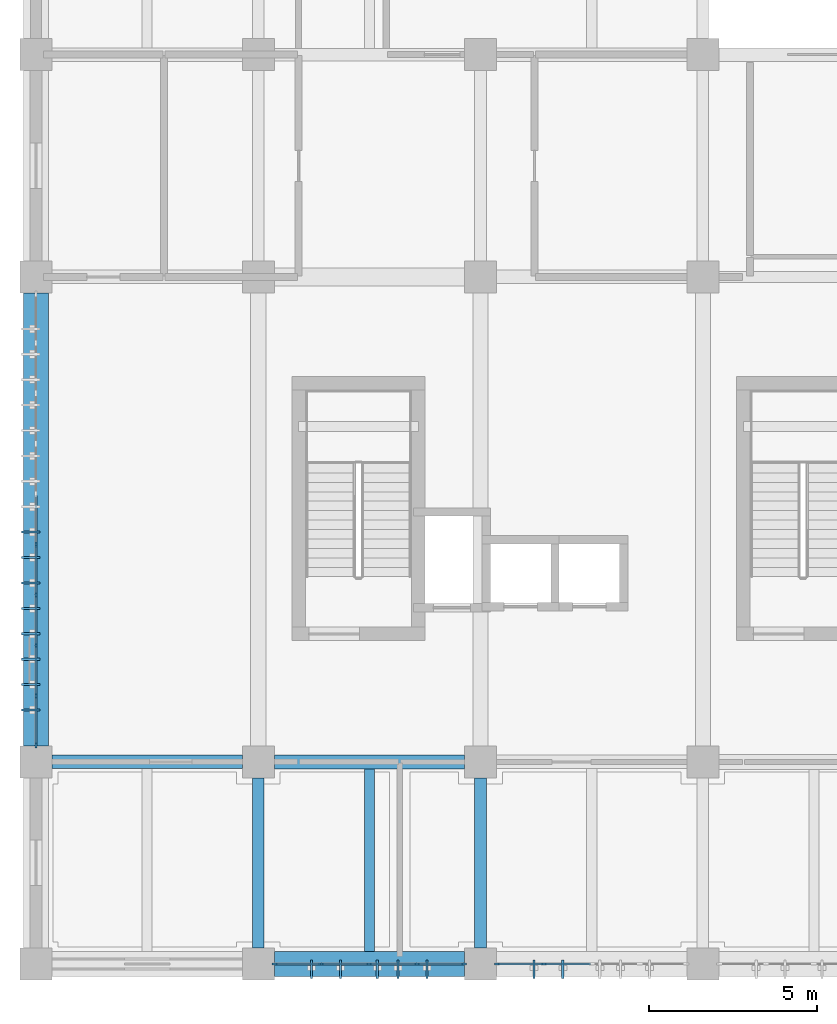
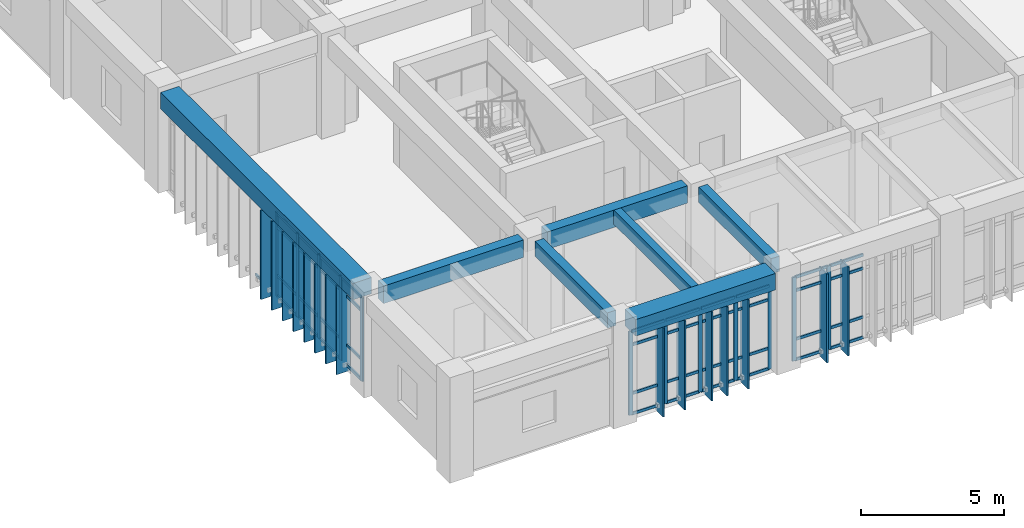
# One storey, part 2 of 57: 68 members, 7 beams, 3 elements without a shape of their own.
"""IFC4 building model written with IfcOpenShell, lengths in metres."""

from ifc_helpers import new_model, si_unit, direction, frame, origin, origin_2d, place, context, subcontext, project, spatial, rectangle, extrude, material, layer, layer_set, material_profile, profile_set, type_object, element, aggregate, save


model = new_model("IFC4")

# Units and contexts
model_context = context("Model", 3, precision=1e-05, world=origin(), true_north=direction((0.0, 1.0)))
body_context = subcontext(model_context, "Body", "Model", "MODEL_VIEW")
ifc_project = project(units=[si_unit("LENGTHUNIT", "METRE"), si_unit("AREAUNIT", "SQUARE_METRE"), si_unit("VOLUMEUNIT", "CUBIC_METRE"), si_unit("PLANEANGLEUNIT", "RADIAN"), si_unit("MASSUNIT", "GRAM", prefix="KILO")], contexts=[model_context])

# Site, building, storey
site_placement = place(None, origin())
site = spatial("IfcSite", under=ifc_project, at=site_placement, CompositionType="ELEMENT")
building_placement = place(site_placement, origin())
building = spatial("IfcBuilding", under=site, at=building_placement, Name="Miralva Faculty of Natural Sciences", CompositionType="ELEMENT")
storey_placement = place(building_placement, frame((0.0, 0.0, 15.0)))
storey = spatial("IfcBuildingStorey", under=building, at=storey_placement, Name="L03", CompositionType="ELEMENT", Elevation=15.0)

# Beams
ifc_material_1 = material(Name="Concrete C40/50", Category="concrete")
ifc_material_profile_1 = material_profile(ifc_material_1, rectangle(XDim=0.39990234375, YDim=0.75, at=origin_2d()), Name="RC 400x750")
ifc_profile_set_1 = profile_set([ifc_material_profile_1], Name="Concrete C40/50")
beam_type_1 = type_object("IfcBeamType", Name="BM-B03", PredefinedType="BEAM", material=ifc_profile_set_1)
beam_1_placement = place(storey_placement, frame((3.47509765625, 9.0, 3.905029296875), z_axis=(1.0, 0.0, 0.0), x_axis=(0.0, 1.0, 0.0)))
element("IfcBeam", 1, at=beam_1_placement, inside=storey, type_object=beam_type_1, Name="Girder EW L03-6", PredefinedType="BEAM", context=body_context, shape_type="SweptSolid", body=[
    extrude(rectangle(XDim=0.39990234375, YDim=0.75, at=origin_2d()), origin(), (0.0, 0.0, 1.0), 5.64990234375),
])
ifc_material_profile_2 = material_profile(ifc_material_1, rectangle(XDim=0.35009765625, YDim=0.64990234375, at=origin_2d()), Name="RC 350x650")
ifc_profile_set_2 = profile_set([ifc_material_profile_2], Name="Concrete C40/50")
beam_type_2 = type_object("IfcBeamType", Name="BM-B05", PredefinedType="BEAM", material=ifc_profile_set_2)
for number, where, z_axis, x_axis, name in (
    (2, (9.60009765625, 3.47509765625, 3.955078125), (0.0, 1.0, 0.0), (-1.0, 0.0, 0.0), "Girder NS L03-75"),
    (3, (16.199951171875, 3.47509765625, 3.955078125), (0.0, 1.0, 0.0), (-1.0, 0.0, 0.0), "Girder NS L03-88"),
):
    element("IfcBeam", number, at=place(storey_placement, frame(where, z_axis=z_axis, x_axis=x_axis)), inside=storey, type_object=beam_type_2, Name=name, PredefinedType="BEAM", context=body_context, shape_type="SweptSolid", body=[
        extrude(rectangle(XDim=0.35009765625, YDim=0.64990234375, at=origin_2d()), origin(), (0.0, 0.0, 1.0), 5.0498046875),
    ])
ifc_material_profile_3 = material_profile(ifc_material_1, rectangle(XDim=0.419921875, YDim=0.739990234375, at=origin_2d()), Name="RC 420x740")
ifc_profile_set_3 = profile_set([ifc_material_profile_3], Name="Concrete C40/50")
beam_type_3 = type_object("IfcBeamType", Name="BM-BG11", PredefinedType="BEAM", material=ifc_profile_set_3)
beam_2_placement = place(storey_placement, frame((10.074951171875, 9.0, 3.909912109375), z_axis=(1.0, 0.0, 0.0), x_axis=(0.0, 1.0, 0.0)))
element("IfcBeam", 4, at=beam_2_placement, inside=storey, type_object=beam_type_3, Name="Girder EW L03-7", PredefinedType="BEAM", context=body_context, shape_type="SweptSolid", body=[
    extrude(rectangle(XDim=0.419921875, YDim=0.739990234375, at=origin_2d()), origin(), (0.0, 0.0, 1.0), 5.650146484375),
])
ifc_material_profile_4 = material_profile(ifc_material_1, rectangle(XDim=0.300048828125, YDim=0.60009765625, at=origin_2d()), Name="RC 300x600")
ifc_profile_set_4 = profile_set([ifc_material_profile_4], Name="Concrete C40/50")
beam_type_4 = type_object("IfcBeamType", Name="BM-J01", PredefinedType="JOIST", material=ifc_profile_set_4)
beam_3_placement = place(storey_placement, frame((12.89990234375, 3.375, 3.97998046875), z_axis=(0.0, 1.0, 0.0), x_axis=(-1.0, 0.0, 0.0)))
element("IfcBeam", 5, at=beam_3_placement, inside=storey, type_object=beam_type_4, Name="Floor joist L03-2", PredefinedType="JOIST", context=body_context, shape_type="SweptSolid", body=[
    extrude(rectangle(XDim=0.300048828125, YDim=0.60009765625, at=origin_2d()), origin(), (0.0, 0.0, 1.0), 5.4150390625),
])
ifc_material_profile_5 = material_profile(ifc_material_1, rectangle(XDim=0.75, YDim=0.699951171875, at=origin_2d()), Name="RC 750x700")
ifc_profile_set_5 = profile_set([ifc_material_profile_5], Name="Concrete C40/50")
beam_type_5 = type_object("IfcBeamType", Name="BM-SP01", PredefinedType="SPANDREL", material=ifc_profile_set_5)
beam_4_placement = place(storey_placement, frame((10.074951171875, 3.0, 3.929931640625), z_axis=(1.0, 0.0, 0.0), x_axis=(0.0, 1.0, 0.0)))
element("IfcBeam", 6, at=beam_4_placement, inside=storey, type_object=beam_type_5, Name="Girder EW L03-2", PredefinedType="SPANDREL", context=body_context, shape_type="SweptSolid", body=[
    extrude(rectangle(XDim=0.75, YDim=0.699951171875, at=origin_2d()), origin(), (0.0, 0.0, 1.0), 5.650146484375),
])
beam_5_placement = place(storey_placement, frame((3.0, 9.47509765625, 3.929931640625), z_axis=(0.0, 1.0, 0.0), x_axis=(-1.0, 0.0, 0.0)))
element("IfcBeam", 7, at=beam_5_placement, inside=storey, type_object=beam_type_5, Name="Girder NS L03-63", PredefinedType="SPANDREL", context=body_context, shape_type="SweptSolid", body=[
    extrude(rectangle(XDim=0.75, YDim=0.699951171875, at=origin_2d()), origin(), (0.0, 0.0, 1.0), 13.449951171875),
])

# Curtain wall, members
ifc_material_2 = material(Name="Laminated solar-control glass", Category="glass")
ifc_layer = layer(ifc_material_2, 0.179931640625, Name="CW-TWR-L03")
ifc_layer_set = layer_set([ifc_layer], Name="Laminated solar-control glass")
curtain_wall_type = type_object("IfcCurtainWallType", Name="CW-TWR-L03", PredefinedType="USERDEFINED", material=ifc_layer_set)
curtain_wall_1_placement = place(storey_placement, origin())
curtain_wall_1 = element("IfcCurtainWall", 8, at=curtain_wall_1_placement, inside=storey, type_object=curtain_wall_type, Name="Curtain wall CW-14 L03-224", ObjectType="UNITISED CURTAIN WALL", PredefinedType="USERDEFINED")
ifc_material_3 = material(Name="Anodised aluminium", Category="aluminium")
ifc_material_profile_6 = material_profile(ifc_material_3, rectangle(XDim=0.06494140625, YDim=0.159912109375, at=origin_2d()), Name="MULLION 65x160")
ifc_profile_set_6 = profile_set([ifc_material_profile_6], Name="Anodised aluminium")
member_type_1 = type_object("IfcMemberType", Name="CW-M02", PredefinedType="MULLION", material=ifc_profile_set_6)
member_1_placement = place(storey_placement, frame((10.08740234375, 3.0, 0.0), z_axis=(0.0, 0.0, 1.0), x_axis=(0.0, 1.0, 0.0)))
member_1 = element("IfcMember", 9, at=member_1_placement, type_object=member_type_1, Name="CW-14 mullion 1", PredefinedType="MULLION", context=body_context, shape_type="SweptSolid", body=[
    extrude(rectangle(XDim=0.06494140625, YDim=0.159912109375, at=origin_2d()), origin(), (0.0, 0.0, 1.0), 3.574951171875),
])
member_2_placement = place(storey_placement, frame((11.47509765625, 3.0, 0.0), z_axis=(0.0, 0.0, 1.0), x_axis=(0.0, 1.0, 0.0)))
member_2 = element("IfcMember", 10, at=member_2_placement, type_object=member_type_1, Name="CW-14 mullion 2", PredefinedType="MULLION", context=body_context, shape_type="SweptSolid", body=[
    extrude(rectangle(XDim=0.06494140625, YDim=0.159912109375, at=origin_2d()), origin(), (0.0, 0.0, 1.0), 3.574951171875),
])
member_3_placement = place(storey_placement, frame((12.89501953125, 3.0, 0.0), z_axis=(0.0, 0.0, 1.0), x_axis=(0.0, 1.0, 0.0)))
member_3 = element("IfcMember", 11, at=member_3_placement, type_object=member_type_1, Name="CW-14 mullion 3", PredefinedType="MULLION", context=body_context, shape_type="SweptSolid", body=[
    extrude(rectangle(XDim=0.06494140625, YDim=0.159912109375, at=origin_2d()), origin(), (0.0, 0.0, 1.0), 3.574951171875),
])
member_4_placement = place(storey_placement, frame((14.31494140625, 3.0, 0.0), z_axis=(0.0, 0.0, 1.0), x_axis=(0.0, 1.0, 0.0)))
member_4 = element("IfcMember", 12, at=member_4_placement, type_object=member_type_1, Name="CW-14 mullion 4", PredefinedType="MULLION", context=body_context, shape_type="SweptSolid", body=[
    extrude(rectangle(XDim=0.06494140625, YDim=0.159912109375, at=origin_2d()), origin(), (0.0, 0.0, 1.0), 3.574951171875),
])
member_5_placement = place(storey_placement, frame((15.702392578125, 3.0, 0.0), z_axis=(0.0, 0.0, 1.0), x_axis=(0.0, 1.0, 0.0)))
member_5 = element("IfcMember", 13, at=member_5_placement, type_object=member_type_1, Name="CW-14 mullion 5", PredefinedType="MULLION", context=body_context, shape_type="SweptSolid", body=[
    extrude(rectangle(XDim=0.06494140625, YDim=0.159912109375, at=origin_2d()), origin(), (0.0, 0.0, 1.0), 3.574951171875),
])

curtain_wall_2_placement = place(storey_placement, origin())
curtain_wall_2 = element("IfcCurtainWall", 14, at=curtain_wall_2_placement, inside=storey, type_object=curtain_wall_type, Name="Curtain wall CW-14 L03-225", ObjectType="UNITISED CURTAIN WALL", PredefinedType="USERDEFINED")
member_6_placement = place(storey_placement, frame((16.6875, 3.0, 0.0), z_axis=(0.0, 0.0, 1.0), x_axis=(0.0, 1.0, 0.0)))
member_6 = element("IfcMember", 15, at=member_6_placement, type_object=member_type_1, Name="CW-14 mullion 1", PredefinedType="MULLION", context=body_context, shape_type="SweptSolid", body=[
    extrude(rectangle(XDim=0.06494140625, YDim=0.159912109375, at=origin_2d()), origin(), (0.0, 0.0, 1.0), 3.574951171875),
])
member_7_placement = place(storey_placement, frame((18.077392578125, 3.0, 0.0), z_axis=(0.0, 0.0, 1.0), x_axis=(0.0, 1.0, 0.0)))
member_7 = element("IfcMember", 16, at=member_7_placement, type_object=member_type_1, Name="CW-14 mullion 2", PredefinedType="MULLION", context=body_context, shape_type="SweptSolid", body=[
    extrude(rectangle(XDim=0.06494140625, YDim=0.159912109375, at=origin_2d()), origin(), (0.0, 0.0, 1.0), 3.574951171875),
])

curtain_wall_3_placement = place(storey_placement, origin())
curtain_wall_3 = element("IfcCurtainWall", 17, at=curtain_wall_3_placement, inside=storey, type_object=curtain_wall_type, Name="Curtain wall CW-14 L03-228", ObjectType="UNITISED CURTAIN WALL", PredefinedType="USERDEFINED")
member_8_placement = place(storey_placement, frame((3.0, 9.49755859375, 0.0), z_axis=(0.0, 0.0, 1.0), x_axis=(-1.0, 0.0, 0.0)))
member_8 = element("IfcMember", 18, at=member_8_placement, type_object=member_type_1, Name="CW-14 mullion 1", PredefinedType="MULLION", context=body_context, shape_type="SweptSolid", body=[
    extrude(rectangle(XDim=0.06494140625, YDim=0.159912109375, at=origin_2d()), origin(), (0.0, 0.0, 1.0), 3.574951171875),
])
member_9_placement = place(storey_placement, frame((3.0, 10.961669921875, 0.0), z_axis=(0.0, 0.0, 1.0), x_axis=(-1.0, 0.0, 0.0)))
member_9 = element("IfcMember", 19, at=member_9_placement, type_object=member_type_1, Name="CW-14 mullion 2", PredefinedType="MULLION", context=body_context, shape_type="SweptSolid", body=[
    extrude(rectangle(XDim=0.06494140625, YDim=0.159912109375, at=origin_2d()), origin(), (0.0, 0.0, 1.0), 3.574951171875),
])
member_10_placement = place(storey_placement, frame((3.0, 12.458251953125, 0.0), z_axis=(0.0, 0.0, 1.0), x_axis=(-1.0, 0.0, 0.0)))
member_10 = element("IfcMember", 20, at=member_10_placement, type_object=member_type_1, Name="CW-14 mullion 3", PredefinedType="MULLION", context=body_context, shape_type="SweptSolid", body=[
    extrude(rectangle(XDim=0.06494140625, YDim=0.159912109375, at=origin_2d()), origin(), (0.0, 0.0, 1.0), 3.574951171875),
])
member_11_placement = place(storey_placement, frame((3.0, 13.955078125, 0.0), z_axis=(0.0, 0.0, 1.0), x_axis=(-1.0, 0.0, 0.0)))
member_11 = element("IfcMember", 21, at=member_11_placement, type_object=member_type_1, Name="CW-14 mullion 4", PredefinedType="MULLION", context=body_context, shape_type="SweptSolid", body=[
    extrude(rectangle(XDim=0.06494140625, YDim=0.159912109375, at=origin_2d()), origin(), (0.0, 0.0, 1.0), 3.574951171875),
])
member_12_placement = place(storey_placement, frame((3.0, 15.45166015625, 0.0), z_axis=(0.0, 0.0, 1.0), x_axis=(-1.0, 0.0, 0.0)))
member_12 = element("IfcMember", 22, at=member_12_placement, type_object=member_type_1, Name="CW-14 mullion 5", PredefinedType="MULLION", context=body_context, shape_type="SweptSolid", body=[
    extrude(rectangle(XDim=0.06494140625, YDim=0.159912109375, at=origin_2d()), origin(), (0.0, 0.0, 1.0), 3.574951171875),
])

# Member
ifc_material_profile_7 = material_profile(ifc_material_3, rectangle(XDim=0.06005859375, YDim=0.1201171875, at=origin_2d()), Name="TRANSOM 60x120")
ifc_profile_set_7 = profile_set([ifc_material_profile_7], Name="Anodised aluminium")
member_type_2 = type_object("IfcMemberType", Name="CW-T02", PredefinedType="USERDEFINED", material=ifc_profile_set_7)
member_13_placement = place(storey_placement, frame((10.1201171875, 3.0, 0.030029296875), z_axis=(1.0, 0.0, 0.0), x_axis=(0.0, 1.0, 0.0)))
member_13 = element("IfcMember", 23, at=member_13_placement, type_object=member_type_2, Name="CW-14 transom 1.1", ObjectType="TRANSOM", PredefinedType="USERDEFINED", context=body_context, shape_type="SweptSolid", body=[
    extrude(rectangle(XDim=0.06005859375, YDim=0.1201171875, at=origin_2d()), origin(), (0.0, 0.0, 1.0), 1.322265625),
])

member_14_placement = place(storey_placement, frame((10.1201171875, 3.0, 0.89990234375), z_axis=(1.0, 0.0, 0.0), x_axis=(0.0, 1.0, 0.0)))
member_14 = element("IfcMember", 24, at=member_14_placement, type_object=member_type_2, Name="CW-14 transom 1.2", ObjectType="TRANSOM", PredefinedType="USERDEFINED", context=body_context, shape_type="SweptSolid", body=[
    extrude(rectangle(XDim=0.06005859375, YDim=0.1201171875, at=origin_2d()), origin(), (0.0, 0.0, 1.0), 1.322265625),
])

member_15_placement = place(storey_placement, frame((10.1201171875, 3.0, 2.97509765625), z_axis=(1.0, 0.0, 0.0), x_axis=(0.0, 1.0, 0.0)))
member_15 = element("IfcMember", 25, at=member_15_placement, type_object=member_type_2, Name="CW-14 transom 1.3", ObjectType="TRANSOM", PredefinedType="USERDEFINED", context=body_context, shape_type="SweptSolid", body=[
    extrude(rectangle(XDim=0.06005859375, YDim=0.1201171875, at=origin_2d()), origin(), (0.0, 0.0, 1.0), 1.322265625),
])

member_16_placement = place(storey_placement, frame((10.1201171875, 3.0, 3.544921875), z_axis=(1.0, 0.0, 0.0), x_axis=(0.0, 1.0, 0.0)))
member_16 = element("IfcMember", 26, at=member_16_placement, type_object=member_type_2, Name="CW-14 transom 1.4", ObjectType="TRANSOM", PredefinedType="USERDEFINED", context=body_context, shape_type="SweptSolid", body=[
    extrude(rectangle(XDim=0.06005859375, YDim=0.1201171875, at=origin_2d()), origin(), (0.0, 0.0, 1.0), 1.322265625),
])

member_17_placement = place(storey_placement, frame((11.507568359375, 3.0, 0.030029296875), z_axis=(1.0, 0.0, 0.0), x_axis=(0.0, 1.0, 0.0)))
member_17 = element("IfcMember", 27, at=member_17_placement, type_object=member_type_2, Name="CW-14 transom 2.1", ObjectType="TRANSOM", PredefinedType="USERDEFINED", context=body_context, shape_type="SweptSolid", body=[
    extrude(rectangle(XDim=0.06005859375, YDim=0.1201171875, at=origin_2d()), origin(), (0.0, 0.0, 1.0), 1.35498046875),
])

member_18_placement = place(storey_placement, frame((11.507568359375, 3.0, 0.89990234375), z_axis=(1.0, 0.0, 0.0), x_axis=(0.0, 1.0, 0.0)))
member_18 = element("IfcMember", 28, at=member_18_placement, type_object=member_type_2, Name="CW-14 transom 2.2", ObjectType="TRANSOM", PredefinedType="USERDEFINED", context=body_context, shape_type="SweptSolid", body=[
    extrude(rectangle(XDim=0.06005859375, YDim=0.1201171875, at=origin_2d()), origin(), (0.0, 0.0, 1.0), 1.35498046875),
])

member_19_placement = place(storey_placement, frame((11.507568359375, 3.0, 2.97509765625), z_axis=(1.0, 0.0, 0.0), x_axis=(0.0, 1.0, 0.0)))
member_19 = element("IfcMember", 29, at=member_19_placement, type_object=member_type_2, Name="CW-14 transom 2.3", ObjectType="TRANSOM", PredefinedType="USERDEFINED", context=body_context, shape_type="SweptSolid", body=[
    extrude(rectangle(XDim=0.06005859375, YDim=0.1201171875, at=origin_2d()), origin(), (0.0, 0.0, 1.0), 1.35498046875),
])

member_20_placement = place(storey_placement, frame((11.507568359375, 3.0, 3.544921875), z_axis=(1.0, 0.0, 0.0), x_axis=(0.0, 1.0, 0.0)))
member_20 = element("IfcMember", 30, at=member_20_placement, type_object=member_type_2, Name="CW-14 transom 2.4", ObjectType="TRANSOM", PredefinedType="USERDEFINED", context=body_context, shape_type="SweptSolid", body=[
    extrude(rectangle(XDim=0.06005859375, YDim=0.1201171875, at=origin_2d()), origin(), (0.0, 0.0, 1.0), 1.35498046875),
])

member_21_placement = place(storey_placement, frame((12.927490234375, 3.0, 0.030029296875), z_axis=(1.0, 0.0, 0.0), x_axis=(0.0, 1.0, 0.0)))
member_21 = element("IfcMember", 31, at=member_21_placement, type_object=member_type_2, Name="CW-14 transom 3.1", ObjectType="TRANSOM", PredefinedType="USERDEFINED", context=body_context, shape_type="SweptSolid", body=[
    extrude(rectangle(XDim=0.06005859375, YDim=0.1201171875, at=origin_2d()), origin(), (0.0, 0.0, 1.0), 1.35498046875),
])

member_22_placement = place(storey_placement, frame((12.927490234375, 3.0, 0.89990234375), z_axis=(1.0, 0.0, 0.0), x_axis=(0.0, 1.0, 0.0)))
member_22 = element("IfcMember", 32, at=member_22_placement, type_object=member_type_2, Name="CW-14 transom 3.2", ObjectType="TRANSOM", PredefinedType="USERDEFINED", context=body_context, shape_type="SweptSolid", body=[
    extrude(rectangle(XDim=0.06005859375, YDim=0.1201171875, at=origin_2d()), origin(), (0.0, 0.0, 1.0), 1.35498046875),
])

member_23_placement = place(storey_placement, frame((12.927490234375, 3.0, 2.97509765625), z_axis=(1.0, 0.0, 0.0), x_axis=(0.0, 1.0, 0.0)))
member_23 = element("IfcMember", 33, at=member_23_placement, type_object=member_type_2, Name="CW-14 transom 3.3", ObjectType="TRANSOM", PredefinedType="USERDEFINED", context=body_context, shape_type="SweptSolid", body=[
    extrude(rectangle(XDim=0.06005859375, YDim=0.1201171875, at=origin_2d()), origin(), (0.0, 0.0, 1.0), 1.35498046875),
])

member_24_placement = place(storey_placement, frame((12.927490234375, 3.0, 3.544921875), z_axis=(1.0, 0.0, 0.0), x_axis=(0.0, 1.0, 0.0)))
member_24 = element("IfcMember", 34, at=member_24_placement, type_object=member_type_2, Name="CW-14 transom 3.4", ObjectType="TRANSOM", PredefinedType="USERDEFINED", context=body_context, shape_type="SweptSolid", body=[
    extrude(rectangle(XDim=0.06005859375, YDim=0.1201171875, at=origin_2d()), origin(), (0.0, 0.0, 1.0), 1.35498046875),
])

member_25_placement = place(storey_placement, frame((14.347412109375, 3.0, 0.030029296875), z_axis=(1.0, 0.0, 0.0), x_axis=(0.0, 1.0, 0.0)))
member_25 = element("IfcMember", 35, at=member_25_placement, type_object=member_type_2, Name="CW-14 transom 4.1", ObjectType="TRANSOM", PredefinedType="USERDEFINED", context=body_context, shape_type="SweptSolid", body=[
    extrude(rectangle(XDim=0.06005859375, YDim=0.1201171875, at=origin_2d()), origin(), (0.0, 0.0, 1.0), 1.322509765625),
])

member_26_placement = place(storey_placement, frame((14.347412109375, 3.0, 0.89990234375), z_axis=(1.0, 0.0, 0.0), x_axis=(0.0, 1.0, 0.0)))
member_26 = element("IfcMember", 36, at=member_26_placement, type_object=member_type_2, Name="CW-14 transom 4.2", ObjectType="TRANSOM", PredefinedType="USERDEFINED", context=body_context, shape_type="SweptSolid", body=[
    extrude(rectangle(XDim=0.06005859375, YDim=0.1201171875, at=origin_2d()), origin(), (0.0, 0.0, 1.0), 1.322509765625),
])

member_27_placement = place(storey_placement, frame((14.347412109375, 3.0, 2.97509765625), z_axis=(1.0, 0.0, 0.0), x_axis=(0.0, 1.0, 0.0)))
member_27 = element("IfcMember", 37, at=member_27_placement, type_object=member_type_2, Name="CW-14 transom 4.3", ObjectType="TRANSOM", PredefinedType="USERDEFINED", context=body_context, shape_type="SweptSolid", body=[
    extrude(rectangle(XDim=0.06005859375, YDim=0.1201171875, at=origin_2d()), origin(), (0.0, 0.0, 1.0), 1.322509765625),
])

member_28_placement = place(storey_placement, frame((14.347412109375, 3.0, 3.544921875), z_axis=(1.0, 0.0, 0.0), x_axis=(0.0, 1.0, 0.0)))
member_28 = element("IfcMember", 38, at=member_28_placement, type_object=member_type_2, Name="CW-14 transom 4.4", ObjectType="TRANSOM", PredefinedType="USERDEFINED", context=body_context, shape_type="SweptSolid", body=[
    extrude(rectangle(XDim=0.06005859375, YDim=0.1201171875, at=origin_2d()), origin(), (0.0, 0.0, 1.0), 1.322509765625),
])

aggregate(curtain_wall_1, [member_1, member_2, member_3, member_4, member_5, member_13, member_14, member_15, member_16, member_17, member_18, member_19, member_20, member_21, member_22, member_23, member_24, member_25, member_26, member_27, member_28])

member_29_placement = place(storey_placement, frame((16.719970703125, 3.0, 0.030029296875), z_axis=(1.0, 0.0, 0.0), x_axis=(0.0, 1.0, 0.0)))
member_29 = element("IfcMember", 39, at=member_29_placement, type_object=member_type_2, Name="CW-14 transom 1.1", ObjectType="TRANSOM", PredefinedType="USERDEFINED", context=body_context, shape_type="SweptSolid", body=[
    extrude(rectangle(XDim=0.06005859375, YDim=0.1201171875, at=origin_2d()), origin(), (0.0, 0.0, 1.0), 1.324951171875),
])

member_30_placement = place(storey_placement, frame((16.719970703125, 3.0, 0.89990234375), z_axis=(1.0, 0.0, 0.0), x_axis=(0.0, 1.0, 0.0)))
member_30 = element("IfcMember", 40, at=member_30_placement, type_object=member_type_2, Name="CW-14 transom 1.2", ObjectType="TRANSOM", PredefinedType="USERDEFINED", context=body_context, shape_type="SweptSolid", body=[
    extrude(rectangle(XDim=0.06005859375, YDim=0.1201171875, at=origin_2d()), origin(), (0.0, 0.0, 1.0), 1.324951171875),
])

member_31_placement = place(storey_placement, frame((16.719970703125, 3.0, 2.97509765625), z_axis=(1.0, 0.0, 0.0), x_axis=(0.0, 1.0, 0.0)))
member_31 = element("IfcMember", 41, at=member_31_placement, type_object=member_type_2, Name="CW-14 transom 1.3", ObjectType="TRANSOM", PredefinedType="USERDEFINED", context=body_context, shape_type="SweptSolid", body=[
    extrude(rectangle(XDim=0.06005859375, YDim=0.1201171875, at=origin_2d()), origin(), (0.0, 0.0, 1.0), 1.324951171875),
])

member_32_placement = place(storey_placement, frame((16.719970703125, 3.0, 3.544921875), z_axis=(1.0, 0.0, 0.0), x_axis=(0.0, 1.0, 0.0)))
member_32 = element("IfcMember", 42, at=member_32_placement, type_object=member_type_2, Name="CW-14 transom 1.4", ObjectType="TRANSOM", PredefinedType="USERDEFINED", context=body_context, shape_type="SweptSolid", body=[
    extrude(rectangle(XDim=0.06005859375, YDim=0.1201171875, at=origin_2d()), origin(), (0.0, 0.0, 1.0), 1.324951171875),
])

member_33_placement = place(storey_placement, frame((18.110107421875, 3.0, 0.030029296875), z_axis=(1.0, 0.0, 0.0), x_axis=(0.0, 1.0, 0.0)))
member_33 = element("IfcMember", 43, at=member_33_placement, type_object=member_type_2, Name="CW-14 transom 2.1", ObjectType="TRANSOM", PredefinedType="USERDEFINED", context=body_context, shape_type="SweptSolid", body=[
    extrude(rectangle(XDim=0.06005859375, YDim=0.1201171875, at=origin_2d()), origin(), (0.0, 0.0, 1.0), 1.357421875),
])

member_34_placement = place(storey_placement, frame((18.110107421875, 3.0, 0.89990234375), z_axis=(1.0, 0.0, 0.0), x_axis=(0.0, 1.0, 0.0)))
member_34 = element("IfcMember", 44, at=member_34_placement, type_object=member_type_2, Name="CW-14 transom 2.2", ObjectType="TRANSOM", PredefinedType="USERDEFINED", context=body_context, shape_type="SweptSolid", body=[
    extrude(rectangle(XDim=0.06005859375, YDim=0.1201171875, at=origin_2d()), origin(), (0.0, 0.0, 1.0), 1.357421875),
])

member_35_placement = place(storey_placement, frame((18.110107421875, 3.0, 2.97509765625), z_axis=(1.0, 0.0, 0.0), x_axis=(0.0, 1.0, 0.0)))
member_35 = element("IfcMember", 45, at=member_35_placement, type_object=member_type_2, Name="CW-14 transom 2.3", ObjectType="TRANSOM", PredefinedType="USERDEFINED", context=body_context, shape_type="SweptSolid", body=[
    extrude(rectangle(XDim=0.06005859375, YDim=0.1201171875, at=origin_2d()), origin(), (0.0, 0.0, 1.0), 1.357421875),
])

member_36_placement = place(storey_placement, frame((18.110107421875, 3.0, 3.544921875), z_axis=(1.0, 0.0, 0.0), x_axis=(0.0, 1.0, 0.0)))
member_36 = element("IfcMember", 46, at=member_36_placement, type_object=member_type_2, Name="CW-14 transom 2.4", ObjectType="TRANSOM", PredefinedType="USERDEFINED", context=body_context, shape_type="SweptSolid", body=[
    extrude(rectangle(XDim=0.06005859375, YDim=0.1201171875, at=origin_2d()), origin(), (0.0, 0.0, 1.0), 1.357421875),
])

aggregate(curtain_wall_2, [member_6, member_7, member_29, member_30, member_31, member_32, member_33, member_34, member_35, member_36])

member_37_placement = place(storey_placement, frame((3.0, 9.530029296875, 0.030029296875), z_axis=(0.0, 1.0, 0.0), x_axis=(-1.0, 0.0, 0.0)))
member_37 = element("IfcMember", 47, at=member_37_placement, type_object=member_type_2, Name="CW-14 transom 1.1", ObjectType="TRANSOM", PredefinedType="USERDEFINED", context=body_context, shape_type="SweptSolid", body=[
    extrude(rectangle(XDim=0.06005859375, YDim=0.1201171875, at=origin_2d()), origin(), (0.0, 0.0, 1.0), 1.399169921875),
])

member_38_placement = place(storey_placement, frame((3.0, 9.530029296875, 0.89990234375), z_axis=(0.0, 1.0, 0.0), x_axis=(-1.0, 0.0, 0.0)))
member_38 = element("IfcMember", 48, at=member_38_placement, type_object=member_type_2, Name="CW-14 transom 1.2", ObjectType="TRANSOM", PredefinedType="USERDEFINED", context=body_context, shape_type="SweptSolid", body=[
    extrude(rectangle(XDim=0.06005859375, YDim=0.1201171875, at=origin_2d()), origin(), (0.0, 0.0, 1.0), 1.399169921875),
])

member_39_placement = place(storey_placement, frame((3.0, 9.530029296875, 2.97509765625), z_axis=(0.0, 1.0, 0.0), x_axis=(-1.0, 0.0, 0.0)))
member_39 = element("IfcMember", 49, at=member_39_placement, type_object=member_type_2, Name="CW-14 transom 1.3", ObjectType="TRANSOM", PredefinedType="USERDEFINED", context=body_context, shape_type="SweptSolid", body=[
    extrude(rectangle(XDim=0.06005859375, YDim=0.1201171875, at=origin_2d()), origin(), (0.0, 0.0, 1.0), 1.399169921875),
])

member_40_placement = place(storey_placement, frame((3.0, 9.530029296875, 3.544921875), z_axis=(0.0, 1.0, 0.0), x_axis=(-1.0, 0.0, 0.0)))
member_40 = element("IfcMember", 50, at=member_40_placement, type_object=member_type_2, Name="CW-14 transom 1.4", ObjectType="TRANSOM", PredefinedType="USERDEFINED", context=body_context, shape_type="SweptSolid", body=[
    extrude(rectangle(XDim=0.06005859375, YDim=0.1201171875, at=origin_2d()), origin(), (0.0, 0.0, 1.0), 1.399169921875),
])

member_41_placement = place(storey_placement, frame((3.0, 10.994140625, 0.030029296875), z_axis=(0.0, 1.0, 0.0), x_axis=(-1.0, 0.0, 0.0)))
member_41 = element("IfcMember", 51, at=member_41_placement, type_object=member_type_2, Name="CW-14 transom 2.1", ObjectType="TRANSOM", PredefinedType="USERDEFINED", context=body_context, shape_type="SweptSolid", body=[
    extrude(rectangle(XDim=0.06005859375, YDim=0.1201171875, at=origin_2d()), origin(), (0.0, 0.0, 1.0), 1.431640625),
])

member_42_placement = place(storey_placement, frame((3.0, 10.994140625, 0.89990234375), z_axis=(0.0, 1.0, 0.0), x_axis=(-1.0, 0.0, 0.0)))
member_42 = element("IfcMember", 52, at=member_42_placement, type_object=member_type_2, Name="CW-14 transom 2.2", ObjectType="TRANSOM", PredefinedType="USERDEFINED", context=body_context, shape_type="SweptSolid", body=[
    extrude(rectangle(XDim=0.06005859375, YDim=0.1201171875, at=origin_2d()), origin(), (0.0, 0.0, 1.0), 1.431640625),
])

member_43_placement = place(storey_placement, frame((3.0, 10.994140625, 2.97509765625), z_axis=(0.0, 1.0, 0.0), x_axis=(-1.0, 0.0, 0.0)))
member_43 = element("IfcMember", 53, at=member_43_placement, type_object=member_type_2, Name="CW-14 transom 2.3", ObjectType="TRANSOM", PredefinedType="USERDEFINED", context=body_context, shape_type="SweptSolid", body=[
    extrude(rectangle(XDim=0.06005859375, YDim=0.1201171875, at=origin_2d()), origin(), (0.0, 0.0, 1.0), 1.431640625),
])

member_44_placement = place(storey_placement, frame((3.0, 10.994140625, 3.544921875), z_axis=(0.0, 1.0, 0.0), x_axis=(-1.0, 0.0, 0.0)))
member_44 = element("IfcMember", 54, at=member_44_placement, type_object=member_type_2, Name="CW-14 transom 2.4", ObjectType="TRANSOM", PredefinedType="USERDEFINED", context=body_context, shape_type="SweptSolid", body=[
    extrude(rectangle(XDim=0.06005859375, YDim=0.1201171875, at=origin_2d()), origin(), (0.0, 0.0, 1.0), 1.431640625),
])

member_45_placement = place(storey_placement, frame((3.0, 12.49072265625, 0.030029296875), z_axis=(0.0, 1.0, 0.0), x_axis=(-1.0, 0.0, 0.0)))
member_45 = element("IfcMember", 55, at=member_45_placement, type_object=member_type_2, Name="CW-14 transom 3.1", ObjectType="TRANSOM", PredefinedType="USERDEFINED", context=body_context, shape_type="SweptSolid", body=[
    extrude(rectangle(XDim=0.06005859375, YDim=0.1201171875, at=origin_2d()), origin(), (0.0, 0.0, 1.0), 1.431884765625),
])

member_46_placement = place(storey_placement, frame((3.0, 12.49072265625, 0.89990234375), z_axis=(0.0, 1.0, 0.0), x_axis=(-1.0, 0.0, 0.0)))
member_46 = element("IfcMember", 56, at=member_46_placement, type_object=member_type_2, Name="CW-14 transom 3.2", ObjectType="TRANSOM", PredefinedType="USERDEFINED", context=body_context, shape_type="SweptSolid", body=[
    extrude(rectangle(XDim=0.06005859375, YDim=0.1201171875, at=origin_2d()), origin(), (0.0, 0.0, 1.0), 1.431884765625),
])

member_47_placement = place(storey_placement, frame((3.0, 12.49072265625, 2.97509765625), z_axis=(0.0, 1.0, 0.0), x_axis=(-1.0, 0.0, 0.0)))
member_47 = element("IfcMember", 57, at=member_47_placement, type_object=member_type_2, Name="CW-14 transom 3.3", ObjectType="TRANSOM", PredefinedType="USERDEFINED", context=body_context, shape_type="SweptSolid", body=[
    extrude(rectangle(XDim=0.06005859375, YDim=0.1201171875, at=origin_2d()), origin(), (0.0, 0.0, 1.0), 1.431884765625),
])

member_48_placement = place(storey_placement, frame((3.0, 12.49072265625, 3.544921875), z_axis=(0.0, 1.0, 0.0), x_axis=(-1.0, 0.0, 0.0)))
member_48 = element("IfcMember", 58, at=member_48_placement, type_object=member_type_2, Name="CW-14 transom 3.4", ObjectType="TRANSOM", PredefinedType="USERDEFINED", context=body_context, shape_type="SweptSolid", body=[
    extrude(rectangle(XDim=0.06005859375, YDim=0.1201171875, at=origin_2d()), origin(), (0.0, 0.0, 1.0), 1.431884765625),
])

member_49_placement = place(storey_placement, frame((3.0, 13.987548828125, 0.030029296875), z_axis=(0.0, 1.0, 0.0), x_axis=(-1.0, 0.0, 0.0)))
member_49 = element("IfcMember", 59, at=member_49_placement, type_object=member_type_2, Name="CW-14 transom 4.1", ObjectType="TRANSOM", PredefinedType="USERDEFINED", context=body_context, shape_type="SweptSolid", body=[
    extrude(rectangle(XDim=0.06005859375, YDim=0.1201171875, at=origin_2d()), origin(), (0.0, 0.0, 1.0), 1.431640625),
])

member_50_placement = place(storey_placement, frame((3.0, 13.987548828125, 0.89990234375), z_axis=(0.0, 1.0, 0.0), x_axis=(-1.0, 0.0, 0.0)))
member_50 = element("IfcMember", 60, at=member_50_placement, type_object=member_type_2, Name="CW-14 transom 4.2", ObjectType="TRANSOM", PredefinedType="USERDEFINED", context=body_context, shape_type="SweptSolid", body=[
    extrude(rectangle(XDim=0.06005859375, YDim=0.1201171875, at=origin_2d()), origin(), (0.0, 0.0, 1.0), 1.431640625),
])

member_51_placement = place(storey_placement, frame((3.0, 13.987548828125, 2.97509765625), z_axis=(0.0, 1.0, 0.0), x_axis=(-1.0, 0.0, 0.0)))
member_51 = element("IfcMember", 61, at=member_51_placement, type_object=member_type_2, Name="CW-14 transom 4.3", ObjectType="TRANSOM", PredefinedType="USERDEFINED", context=body_context, shape_type="SweptSolid", body=[
    extrude(rectangle(XDim=0.06005859375, YDim=0.1201171875, at=origin_2d()), origin(), (0.0, 0.0, 1.0), 1.431640625),
])

member_52_placement = place(storey_placement, frame((3.0, 13.987548828125, 3.544921875), z_axis=(0.0, 1.0, 0.0), x_axis=(-1.0, 0.0, 0.0)))
member_52 = element("IfcMember", 62, at=member_52_placement, type_object=member_type_2, Name="CW-14 transom 4.4", ObjectType="TRANSOM", PredefinedType="USERDEFINED", context=body_context, shape_type="SweptSolid", body=[
    extrude(rectangle(XDim=0.06005859375, YDim=0.1201171875, at=origin_2d()), origin(), (0.0, 0.0, 1.0), 1.431640625),
])

member_53_placement = place(storey_placement, frame((3.0, 15.484130859375, 0.030029296875), z_axis=(0.0, 1.0, 0.0), x_axis=(-1.0, 0.0, 0.0)))
member_53 = element("IfcMember", 63, at=member_53_placement, type_object=member_type_2, Name="CW-14 transom 5.1", ObjectType="TRANSOM", PredefinedType="USERDEFINED", context=body_context, shape_type="SweptSolid", body=[
    extrude(rectangle(XDim=0.06005859375, YDim=0.1201171875, at=origin_2d()), origin(), (0.0, 0.0, 1.0), 1.431640625),
])

aggregate(curtain_wall_3, [member_8, member_9, member_10, member_11, member_12, member_37, member_38, member_39, member_40, member_41, member_42, member_43, member_44, member_45, member_46, member_47, member_48, member_49, member_50, member_51, member_52, member_53])

# Members
ifc_material_profile_8 = material_profile(ifc_material_3, rectangle(XDim=0.06494140625, YDim=0.550048828125, at=origin_2d()), Name="FIN 550x65")
ifc_profile_set_8 = profile_set([ifc_material_profile_8], Name="Anodised aluminium")
member_type_3 = type_object("IfcMemberType", Name="MEM-SF03", PredefinedType="USERDEFINED", material=ifc_profile_set_8)
for number, where, z_axis, x_axis, name in (
    (64, (11.18310546875, 2.840087890625, -0.219970703125), (0.0, 0.0, 1.0), (1.0, 0.0, 0.0), "Solar shading fin SF-03 L03-261"),
    (65, (12.0390625, 2.840087890625, -0.219970703125), (0.0, 0.0, 1.0), (1.0, 0.0, 0.0), "Solar shading fin SF-03 L03-262"),
    (66, (13.135009765625, 2.840087890625, -0.219970703125), (0.0, 0.0, 1.0), (1.0, 0.0, 0.0), "Solar shading fin SF-03 L03-263"),
    (67, (13.7509765625, 2.840087890625, -0.219970703125), (0.0, 0.0, 1.0), (1.0, 0.0, 0.0), "Solar shading fin SF-03 L03-264"),
    (68, (14.60693359375, 2.840087890625, -0.219970703125), (0.0, 0.0, 1.0), (1.0, 0.0, 0.0), "Solar shading fin SF-03 L03-265"),
    (69, (17.783935546875, 2.840087890625, -0.219970703125), (0.0, 0.0, 1.0), (1.0, 0.0, 0.0), "Solar shading fin SF-03 L03-266"),
    (70, (18.64208984375, 2.840087890625, -0.219970703125), (0.0, 0.0, 1.0), (1.0, 0.0, 0.0), "Solar shading fin SF-03 L03-267"),
    (71, (2.840087890625, 10.542236328125, -0.219970703125), (0.0, 0.0, 1.0), (0.0, -1.0, 0.0), "Solar shading fin SF-03 L03-281"),
    (72, (2.840087890625, 11.296630859375, -0.219970703125), (0.0, 0.0, 1.0), (0.0, -1.0, 0.0), "Solar shading fin SF-03 L03-282"),
    (73, (2.840087890625, 12.05078125, -0.219970703125), (0.0, 0.0, 1.0), (0.0, -1.0, 0.0), "Solar shading fin SF-03 L03-283"),
    (74, (2.840087890625, 12.805419921875, -0.219970703125), (0.0, 0.0, 1.0), (0.0, -1.0, 0.0), "Solar shading fin SF-03 L03-284"),
    (75, (2.840087890625, 13.559814453125, -0.219970703125), (0.0, 0.0, 1.0), (0.0, -1.0, 0.0), "Solar shading fin SF-03 L03-285"),
    (76, (2.840087890625, 14.314208984375, -0.219970703125), (0.0, 0.0, 1.0), (0.0, -1.0, 0.0), "Solar shading fin SF-03 L03-286"),
    (77, (2.840087890625, 15.068359375, -0.219970703125), (0.0, 0.0, 1.0), (0.0, -1.0, 0.0), "Solar shading fin SF-03 L03-287"),
    (78, (2.840087890625, 15.82275390625, -0.219970703125), (0.0, 0.0, 1.0), (0.0, -1.0, 0.0), "Solar shading fin SF-03 L03-288"),
):
    element("IfcMember", number, at=place(storey_placement, frame(where, z_axis=z_axis, x_axis=x_axis)), inside=storey, type_object=member_type_3, Name=name, ObjectType="SUNSHADE", PredefinedType="USERDEFINED", context=body_context, shape_type="SweptSolid", body=[
        extrude(rectangle(XDim=0.06494140625, YDim=0.550048828125, at=origin_2d()), origin(), (0.0, 0.0, 1.0), 3.794921875),
    ])

save(model, "model.ifc")
